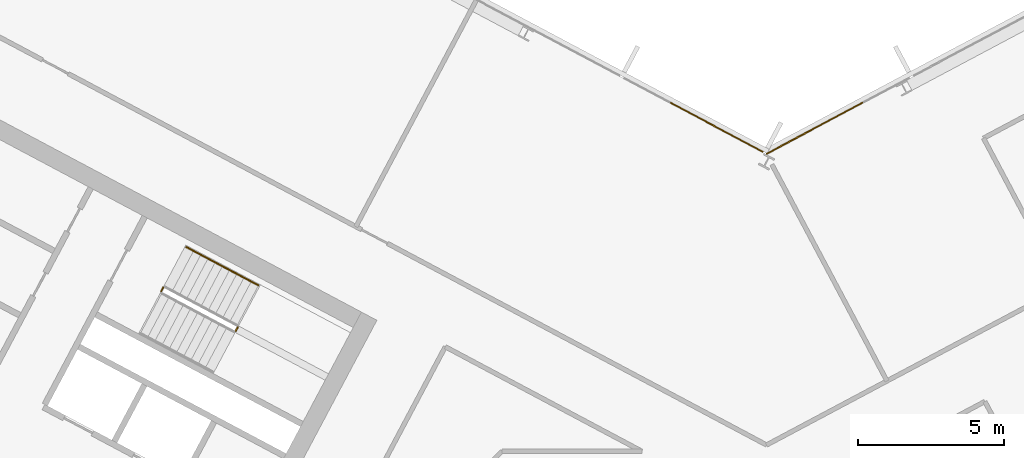
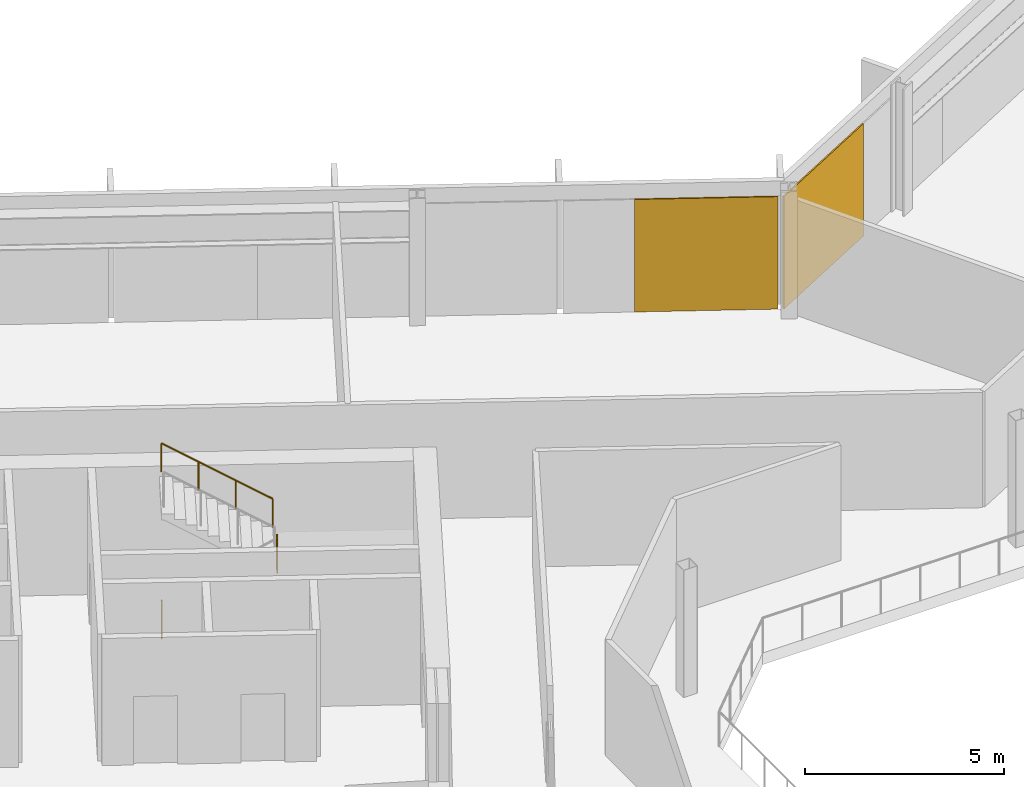
# One storey, part 23 of 27: 3 railings, 2 coverings, 2 elements without a shape of their own.
"""IFC4 building model written with IfcOpenShell, lengths in metres."""

from ifc_helpers import new_model, si_unit, direction, frame, origin, origin_2d, place, context, subcontext, project, spatial, polyline, rectangle, outline, extrude, material, layer, layer_set, type_object, element, aggregate, save


model = new_model("IFC4")

# Units and contexts
model_context = context("Model", 3, precision=1e-05, world=origin(), true_north=direction((0.0, 1.0)))
body_context = subcontext(model_context, "Body", "Model", "MODEL_VIEW")
ifc_project = project(units=[si_unit("LENGTHUNIT", "METRE"), si_unit("AREAUNIT", "SQUARE_METRE"), si_unit("VOLUMEUNIT", "CUBIC_METRE"), si_unit("PLANEANGLEUNIT", "RADIAN"), si_unit("MASSUNIT", "GRAM", prefix="KILO")], contexts=[model_context])

# Site, building, storey
site_placement = place(None, origin())
site = spatial("IfcSite", under=ifc_project, at=site_placement, CompositionType="ELEMENT")
building_placement = place(site_placement, origin())
building = spatial("IfcBuilding", under=site, at=building_placement, Name="Cormorant Relay Tower", CompositionType="ELEMENT")
storey_placement = place(building_placement, frame((0.0, 0.0, 232.5)))
storey = spatial("IfcBuildingStorey", under=building, at=storey_placement, Name="L51", CompositionType="ELEMENT", Elevation=232.5)

# Curtain wall, covering
ifc_material_1 = material(Name="Aluminium 6063-T6 anodised bronze", Category="aluminium")
ifc_layer_1 = layer(ifc_material_1, 0.199951171875)
ifc_layer_set_1 = layer_set([ifc_layer_1], Name="CW1 unitised bronze curtain wall with vertical fins")
curtain_wall_type = type_object("IfcCurtainWallType", Name="CW1 unitised bronze curtain wall with vertical fins", PredefinedType="NOTDEFINED", material=ifc_layer_set_1)
curtain_wall_1_placement = place(storey_placement, origin())
curtain_wall_1 = element("IfcCurtainWall", 1, at=curtain_wall_1_placement, inside=storey, type_object=curtain_wall_type, Name="CW1 curtain wall 8", PredefinedType="NOTDEFINED")
ifc_material_2 = material(Name="Pale bronze anodised aluminium insulated panel", Category="aluminium")
ifc_layer_2 = layer(ifc_material_2, 0.0400390625)
ifc_layer_set_2 = layer_set([ifc_layer_2], Name="CW1 pale bronze insulated panel 40")
covering_type = type_object("IfcCoveringType", Name="CW1 pale bronze insulated panel 40", PredefinedType="CLADDING", material=ifc_layer_set_2)
covering_1_placement = place(storey_placement, frame((1.65234375, 24.685302734375, 0.0), z_axis=(0.0, 0.0, 1.0), x_axis=(-0.882947592859, -0.469471562786, 0.0)))
covering_1 = element("IfcCovering", 2, at=covering_1_placement, type_object=covering_type, Name="CW1 panel S08", PredefinedType="CLADDING", context=body_context, shape_type="SweptSolid", body=[
    extrude(rectangle(XDim=3.763916015625, YDim=0.0400390625, at=origin_2d()), origin(), (0.0, 0.0, 1.0), 3.449951171875),
])
aggregate(curtain_wall_1, [covering_1])

curtain_wall_2_placement = place(storey_placement, origin())
curtain_wall_2 = element("IfcCurtainWall", 3, at=curtain_wall_2_placement, inside=storey, type_object=curtain_wall_type, Name="CW1 curtain wall 9", PredefinedType="NOTDEFINED")
covering_2_placement = place(storey_placement, frame((-1.718505859375, 24.720458984375, 0.0), z_axis=(0.0, 0.0, 1.0), x_axis=(-0.882947592859, 0.469471562786, 0.0)))
covering_2 = element("IfcCovering", 4, at=covering_2_placement, type_object=covering_type, Name="CW1 panel S00", PredefinedType="CLADDING", context=body_context, shape_type="SweptSolid", body=[
    extrude(rectangle(XDim=3.614013671875, YDim=0.0400390625, at=origin_2d()), origin(), (0.0, 0.0, 1.0), 3.449951171875),
])
aggregate(curtain_wall_2, [covering_2])

# Railings
ifc_material_3 = material(Name="Steel ASTM A572 Grade 50 (Fy 345 MPa)", Category="steel")
railing_type_1 = type_object("IfcRailingType", Name="Stair guard 1100", PredefinedType="GUARDRAIL", material=ifc_material_3)
railing_1_placement = place(storey_placement, frame((-18.210693359375, 17.72412109375, 1.949951171875)))
element("IfcRailing", 5, at=railing_1_placement, inside=storey, type_object=railing_type_1, Name="L51 A1 stair guard 2", PredefinedType="GUARDRAIL", context=body_context, shape_type="SweptSolid", body=[
    extrude(outline(polyline([(0.022216796875, 0.00927734375), (0.00927734375, 0.022216796875), (-0.00927734375, 0.022216796875), (-0.022216796875, 0.00927734375), (-0.022216796875, -0.00927734375), (-0.00927734375, -0.022216796875), (0.00927734375, -0.022216796875), (0.022216796875, -0.00927734375), (0.022216796875, 0.00927734375)])), frame((0.0, 0.0, 1.076171875), z_axis=(0.470503732759, 0.882398003998, 0.0), x_axis=(-0.882398003998, 0.470503732759, 0.0)), (0.0, 0.0, 1.0), 0.14990234375),
    extrude(outline(polyline([(0.019287109375, 0.008056640625), (0.008056640625, 0.019287109375), (-0.008056640625, 0.019287109375), (-0.019287109375, 0.008056640625), (-0.019287109375, -0.008056640625), (-0.008056640625, -0.019287109375), (0.008056640625, -0.019287109375), (0.019287109375, -0.008056640625), (0.019287109375, 0.008056640625)])), origin(), (0.0, 0.0, 1.0), 1.052001953125),
    extrude(outline(polyline([(0.019287109375, 0.008056640625), (0.008056640625, 0.019287109375), (-0.008056640625, 0.019287109375), (-0.019287109375, 0.008056640625), (-0.019287109375, -0.008056640625), (-0.008056640625, -0.019287109375), (0.008056640625, -0.019287109375), (0.019287109375, -0.008056640625), (0.019287109375, 0.008056640625)])), frame((0.070556640625, 0.13232421875, 0.0)), (0.0, 0.0, 1.0), 1.052001953125),
])
railing_2_placement = place(storey_placement, frame((-20.771240234375, 19.08544921875, 0.0)))
element("IfcRailing", 6, at=railing_2_placement, inside=storey, type_object=railing_type_1, Name="L51 A1 stair guard 4", PredefinedType="GUARDRAIL", context=body_context, shape_type="SweptSolid", body=[
    extrude(outline(polyline([(0.022216796875, 0.00927734375), (0.00927734375, 0.022216796875), (-0.00927734375, 0.022216796875), (-0.022216796875, 0.00927734375), (-0.022216796875, -0.00927734375), (-0.00927734375, -0.022216796875), (0.00927734375, -0.022216796875), (0.022216796875, -0.00927734375), (0.022216796875, 0.00927734375)])), frame((0.0, 0.0, 1.076171875), z_axis=(0.469828648786, 0.882757634224, 0.0), x_axis=(-0.882757634224, 0.469828648786, 0.0)), (0.0, 0.0, 1.0), 0.150146484375),
    extrude(outline(polyline([(0.019287109375, 0.008056640625), (0.008056640625, 0.019287109375), (-0.008056640625, 0.019287109375), (-0.019287109375, 0.008056640625), (-0.019287109375, -0.008056640625), (-0.008056640625, -0.019287109375), (0.008056640625, -0.019287109375), (0.019287109375, -0.008056640625), (0.019287109375, 0.008056640625)])), origin(), (0.0, 0.0, 1.0), 1.052001953125),
    extrude(outline(polyline([(0.019287109375, 0.008056640625), (0.008056640625, 0.019287109375), (-0.008056640625, 0.019287109375), (-0.019287109375, 0.008056640625), (-0.019287109375, -0.008056640625), (-0.008056640625, -0.019287109375), (0.008056640625, -0.019287109375), (0.019287109375, -0.008056640625), (0.019287109375, 0.008056640625)])), frame((0.070556640625, 0.132568359375, 0.0)), (0.0, 0.0, 1.0), 1.052001953125),
])
ifc_material_4 = material(Name="Steel ASTM A572 Grade 50 (Fy 345 MPa)", Category="steel")
railing_type_2 = type_object("IfcRailingType", Name="Stair handrail 900", PredefinedType="HANDRAIL", material=ifc_material_4)
railing_3_placement = place(storey_placement, frame((-17.433349609375, 19.292724609375, 2.127197265625)))
element("IfcRailing", 7, at=railing_3_placement, inside=storey, type_object=railing_type_2, Name="L51 A1 stair handrail 2", PredefinedType="HANDRAIL", context=body_context, shape_type="SweptSolid", body=[
    extrude(outline(polyline([(0.022216796875, 0.00927734375), (0.00927734375, 0.022216796875), (-0.00927734375, 0.022216796875), (-0.022216796875, 0.00927734375), (-0.022216796875, -0.00927734375), (-0.00927734375, -0.022216796875), (0.00927734375, -0.022216796875), (0.022216796875, -0.00927734375), (0.022216796875, 0.00927734375)])), frame((0.0, 0.0, 0.8759765625), z_axis=(-0.746001213114, 0.396649272309, 0.534931345884), x_axis=(-0.469465464807, -0.882950835185, 0.0)), (0.0, 0.0, 1.0), 3.31396484375),
    extrude(outline(polyline([(0.019287109375, 0.008056640625), (0.008056640625, 0.019287109375), (-0.008056640625, 0.019287109375), (-0.019287109375, 0.008056640625), (-0.019287109375, -0.008056640625), (-0.008056640625, -0.019287109375), (0.008056640625, -0.019287109375), (0.019287109375, -0.008056640625), (0.019287109375, 0.008056640625)])), origin(), (0.0, 0.0, 1.0), 0.851806640625),
    extrude(outline(polyline([(0.019287109375, 0.008056640625), (0.008056640625, 0.019287109375), (-0.008056640625, 0.019287109375), (-0.019287109375, 0.008056640625), (-0.019287109375, -0.008056640625), (-0.008056640625, -0.019287109375), (0.008056640625, -0.019287109375), (0.019287109375, -0.008056640625), (0.019287109375, 0.008056640625)])), frame((-0.823974609375, 0.438232421875, 0.5908203125)), (0.0, 0.0, 1.0), 0.851806640625),
    extrude(outline(polyline([(0.019287109375, 0.008056640625), (0.008056640625, 0.019287109375), (-0.008056640625, 0.019287109375), (-0.019287109375, 0.008056640625), (-0.019287109375, -0.008056640625), (-0.008056640625, -0.019287109375), (0.008056640625, -0.019287109375), (0.019287109375, -0.008056640625), (0.019287109375, 0.008056640625)])), frame((-1.648193359375, 0.876220703125, 1.181884765625)), (0.0, 0.0, 1.0), 0.851806640625),
    extrude(outline(polyline([(0.019287109375, 0.008056640625), (0.008056640625, 0.019287109375), (-0.008056640625, 0.019287109375), (-0.019287109375, 0.008056640625), (-0.019287109375, -0.008056640625), (-0.008056640625, -0.019287109375), (0.008056640625, -0.019287109375), (0.019287109375, -0.008056640625), (0.019287109375, 0.008056640625)])), frame((-2.47216796875, 1.314453125, 1.772705078125)), (0.0, 0.0, 1.0), 0.851806640625),
])

save(model, "model.ifc")
